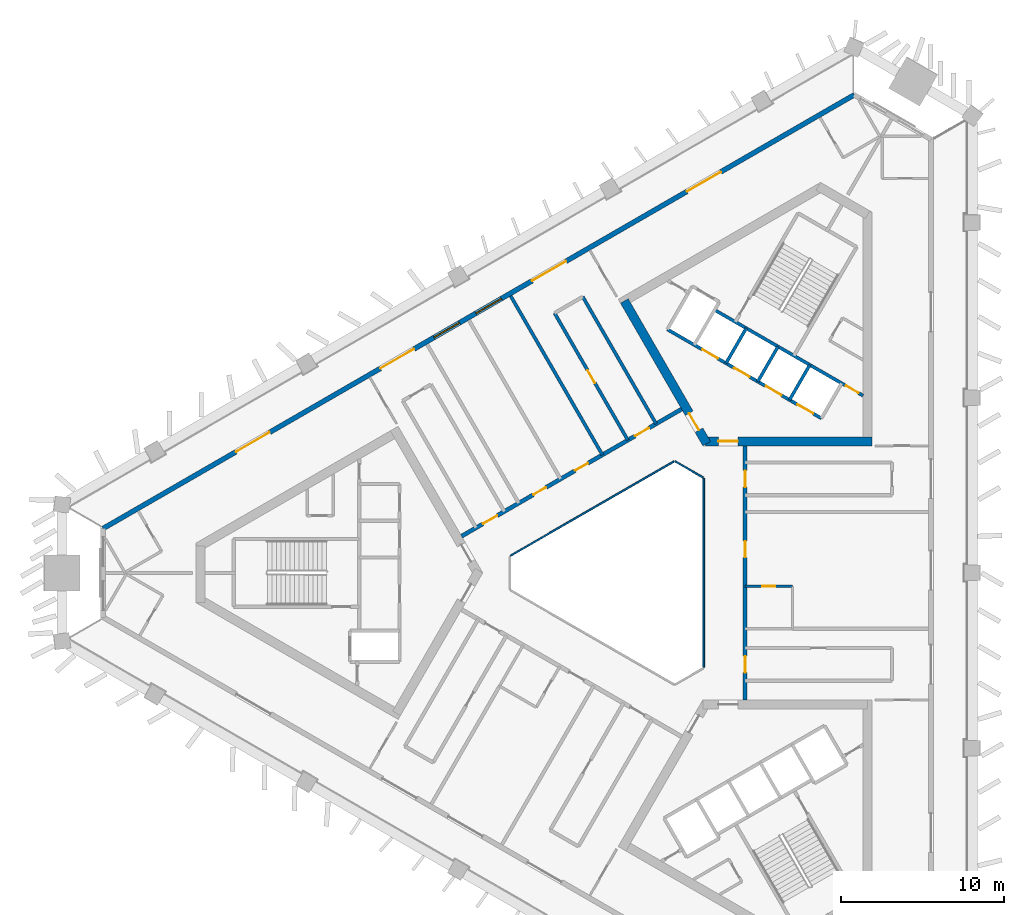
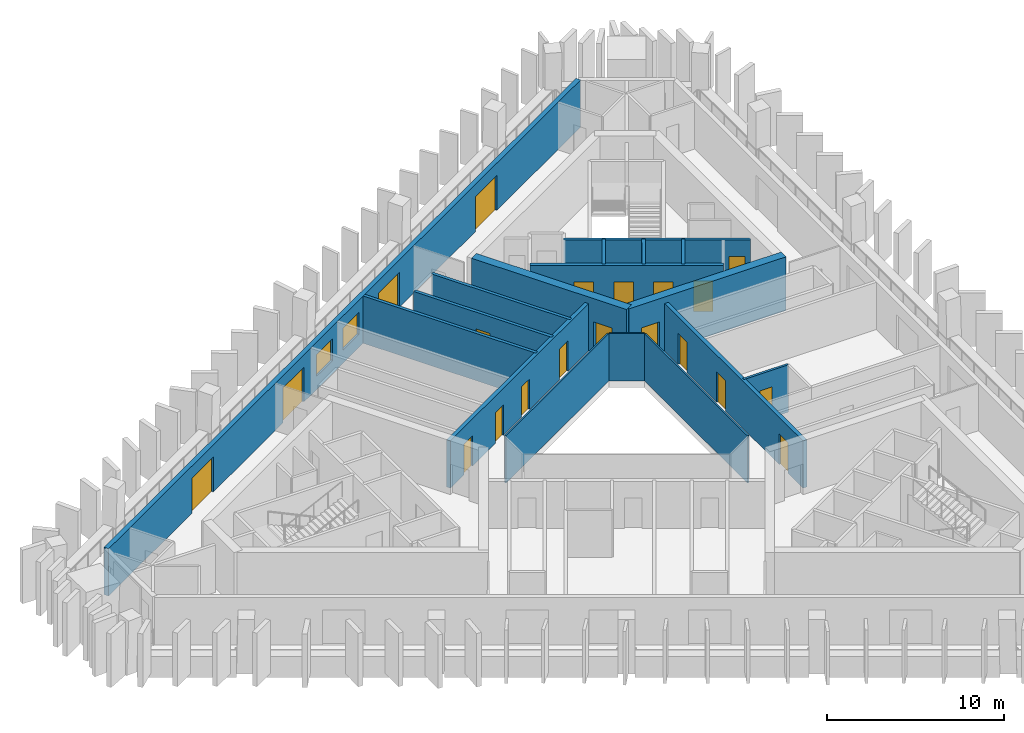
# One storey, part 5 of 10: 20 doors, 17 walls, 2 windows, 22 openings.
"""IFC4 building model written with IfcOpenShell, lengths in metres."""

from ifc_helpers import new_model, si_unit, direction, frame, frame_2d, origin, place, context, subcontext, project, spatial, rectangle, extrude, material, layer, layer_set, type_object, element, fill, save


model = new_model("IFC4")

# Units and contexts
model_context = context("Model", 3, precision=1e-05, world=origin(), true_north=direction((0.0, 1.0)))
body_context = subcontext(model_context, "Body", "Model", "MODEL_VIEW")
ifc_project = project(units=[si_unit("LENGTHUNIT", "METRE"), si_unit("AREAUNIT", "SQUARE_METRE"), si_unit("VOLUMEUNIT", "CUBIC_METRE"), si_unit("PLANEANGLEUNIT", "RADIAN"), si_unit("MASSUNIT", "GRAM", prefix="KILO")], contexts=[model_context])

# Site, building, storey
site_placement = place(None, origin())
site = spatial("IfcSite", under=ifc_project, at=site_placement, CompositionType="ELEMENT")
building_placement = place(site_placement, origin())
building = spatial("IfcBuilding", under=site, at=building_placement, Name="Jabali Bay Hotel Tower and Convention Centre", CompositionType="ELEMENT")
storey_placement = place(building_placement, frame((0.0, 0.0, 178.5)))
storey = spatial("IfcBuildingStorey", under=building, at=storey_placement, Name="L43", CompositionType="ELEMENT", Elevation=178.5)

# Walls
ifc_material_1 = material(Name="Fire-resistant glazing", Category="glass")
ifc_layer_1 = layer(ifc_material_1, 0.10009765625)
ifc_layer_set_1 = layer_set([ifc_layer_1], Name="Fire-resistant glazing")
wall_type_1 = type_object("IfcWallType", Name="Atrium glazed screen 100", PredefinedType="PARTITIONING", material=ifc_layer_set_1)
wall_1_placement = place(storey_placement, frame((79.56005859375, 74.205810546875, 0.0), z_axis=(0.0, 0.0, 1.0), x_axis=(0.0, 1.0, 0.0)))
element("IfcWall", 1, at=wall_1_placement, inside=storey, type_object=wall_type_1, Name="Atrium screen 1 L43", PredefinedType="PARTITIONING", context=body_context, shape_type="SweptSolid", body=[
    extrude(rectangle(XDim=11.58837890625, YDim=0.10009765625, at=frame_2d((5.794189453125, 0.0))), origin(), (0.0, 0.0, 1.0), 3.25),
])
wall_2_placement = place(storey_placement, frame((79.530029296875, 85.84619140625, 0.0), z_axis=(0.0, 0.0, 1.0), x_axis=(-0.866041268327, 0.499972520799, 0.0)))
element("IfcWall", 2, at=wall_2_placement, inside=storey, type_object=wall_type_1, Name="Atrium screen 2 L43", PredefinedType="PARTITIONING", context=body_context, shape_type="SweptSolid", body=[
    extrude(rectangle(XDim=2.0, YDim=0.10009765625, at=frame_2d((1.0, 0.0))), origin(), (0.0, 0.0, 1.0), 3.25),
])
wall_3_placement = place(storey_placement, frame((77.738037109375, 86.84619140625, 0.0), z_axis=(0.0, 0.0, 1.0), x_axis=(-0.866026658274, -0.499997827154, 0.0)))
element("IfcWall", 3, at=wall_3_placement, inside=storey, type_object=wall_type_1, Name="Atrium screen 3 L43", PredefinedType="PARTITIONING", context=body_context, shape_type="SweptSolid", body=[
    extrude(rectangle(XDim=11.58837890625, YDim=0.10009765625, at=frame_2d((5.794189453125, 0.0))), origin(), (0.0, 0.0, 1.0), 3.25),
])
ifc_material_2 = material(Name="Concrete C40", Category="concrete")
ifc_layer_2 = layer(ifc_material_2, 0.199951171875)
ifc_layer_set_2 = layer_set([ifc_layer_2], Name="Concrete C40")
wall_type_2 = type_object("IfcWallType", Name="Core stair wall 200", PredefinedType="SOLIDWALL", material=ifc_layer_set_2)
for number, where, z_axis, x_axis, name in (
    (4, (84.8212890625, 90.61083984375, 0.0), (0.0, 0.0, 1.0), (0.499961042966, 0.86604789447, 0.0), "Core wall 1.2 L43"),
    (5, (82.872802734375, 91.73583984375, 0.0), (0.0, 0.0, 1.0), (0.499961042966, 0.86604789447, 0.0), "Core wall 1.4 L43"),
    (6, (80.924072265625, 92.86083984375, 0.0), (0.0, 0.0, 1.0), (0.499961042966, 0.86604789447, 0.0), "Core wall 1.6 L43"),
):
    element("IfcWall", number, at=place(storey_placement, frame(where, z_axis=z_axis, x_axis=x_axis)), inside=storey, type_object=wall_type_2, Name=name, PredefinedType="SOLIDWALL", context=body_context, shape_type="SweptSolid", body=[
        extrude(rectangle(XDim=2.480224609375, YDim=0.199951171875, at=frame_2d((1.240234375, 0.0))), origin(), (0.0, 0.0, 1.0), 3.25),
    ])

# Wall, openings, doors
wall_4_placement = place(storey_placement, frame((86.769775390625, 89.48583984375, 0.0), z_axis=(0.0, 0.0, 1.0), x_axis=(-0.86601811187, 0.500012629753, 0.0)))
wall_4 = element("IfcWall", 7, at=wall_4_placement, inside=storey, type_object=wall_type_2, Name="Core wall 1.10 L43", PredefinedType="SOLIDWALL", context=body_context, shape_type="SweptSolid", body=[
    extrude(rectangle(XDim=10.900146484375, YDim=0.199951171875, at=frame_2d((5.4501953125, 0.0))), origin(), (0.0, 0.0, 1.0), 3.25),
])
opening_1_placement = place(wall_4_placement, frame((0.574951171875, 0.0, 0.0)))
opening_1 = element("IfcOpeningElement", 8, at=opening_1_placement, cuts=wall_4, Name="Opening LD6-L43", PredefinedType="OPENING", context=body_context, shape_type="SweptSolid", body=[
    extrude(rectangle(XDim=1.10009765625, YDim=2.10009765625, at=frame_2d((0.550048828125, 1.050048828125))), frame((0.0, 0.1103515625, 0.0), z_axis=(0.0, -1.0, 0.0), x_axis=(1.0, 0.0, 0.0)), (0.0, 0.0, 1.0), 0.220947265625),
])
opening_2_placement = place(wall_4_placement, frame((2.824951171875, 0.0, 0.0)))
opening_2 = element("IfcOpeningElement", 9, at=opening_2_placement, cuts=wall_4, Name="Opening LD7-L43", PredefinedType="OPENING", context=body_context, shape_type="SweptSolid", body=[
    extrude(rectangle(XDim=1.10009765625, YDim=2.10009765625, at=frame_2d((0.550048828125, 1.050048828125))), frame((0.0, 0.1103515625, 0.0), z_axis=(0.0, -1.0, 0.0), x_axis=(1.0, 0.0, 0.0)), (0.0, 0.0, 1.0), 0.220947265625),
])
opening_3_placement = place(wall_4_placement, frame((5.074951171875, 0.0, 0.0)))
opening_3 = element("IfcOpeningElement", 10, at=opening_3_placement, cuts=wall_4, Name="Opening LD8-L43", PredefinedType="OPENING", context=body_context, shape_type="SweptSolid", body=[
    extrude(rectangle(XDim=1.10009765625, YDim=2.10009765625, at=frame_2d((0.550048828125, 1.050048828125))), frame((0.0, 0.1103515625, 0.0), z_axis=(0.0, -1.0, 0.0), x_axis=(1.0, 0.0, 0.0)), (0.0, 0.0, 1.0), 0.220947265625),
])
opening_4_placement = place(wall_4_placement, frame((7.324951171875, 0.0, 0.0)))
opening_4 = element("IfcOpeningElement", 11, at=opening_4_placement, cuts=wall_4, Name="Opening LD9-L43", PredefinedType="OPENING", context=body_context, shape_type="SweptSolid", body=[
    extrude(rectangle(XDim=1.10009765625, YDim=2.10009765625, at=frame_2d((0.550048828125, 1.050048828125))), frame((0.0, 0.1103515625, 0.0), z_axis=(0.0, -1.0, 0.0), x_axis=(1.0, 0.0, 0.0)), (0.0, 0.0, 1.0), 0.220947265625),
])
ifc_material_3 = material(Name="Stainless steel landing door", Category="steel")
door_type_1 = type_object("IfcDoorType", Name="Landing door 1100 x 2100", OperationType="NOTDEFINED", PredefinedType="NOTDEFINED", material=ifc_material_3)
door_1_placement = place(opening_1_placement, origin())
door_1 = element("IfcDoor", 12, at=door_1_placement, inside=storey, type_object=door_type_1, Name="Landing doors LD6-L43", OperationType="SLIDING_TO_RIGHT", OverallHeight=2.10009765625, OverallWidth=1.10009765625, PredefinedType="NOTDEFINED", context=body_context, shape_type="SweptSolid", body=[
    extrude(rectangle(XDim=1.10009765625, YDim=2.10009765625, at=frame_2d((0.550048828125, 1.050048828125))), frame((0.0, 0.02490234375, 0.0), z_axis=(0.0, -1.0, 0.0), x_axis=(1.0, 0.0, 0.0)), (0.0, 0.0, 1.0), 0.050048828125),
])
fill(opening_1, door_1)
door_2_placement = place(opening_2_placement, origin())
door_2 = element("IfcDoor", 13, at=door_2_placement, inside=storey, type_object=door_type_1, Name="Landing doors LD7-L43", OperationType="SLIDING_TO_LEFT", OverallHeight=2.10009765625, OverallWidth=1.10009765625, PredefinedType="NOTDEFINED", context=body_context, shape_type="SweptSolid", body=[
    extrude(rectangle(XDim=1.10009765625, YDim=2.10009765625, at=frame_2d((0.550048828125, 1.050048828125))), frame((0.0, 0.02490234375, 0.0), z_axis=(0.0, -1.0, 0.0), x_axis=(1.0, 0.0, 0.0)), (0.0, 0.0, 1.0), 0.050048828125),
])
fill(opening_2, door_2)
door_3_placement = place(opening_3_placement, origin())
door_3 = element("IfcDoor", 14, at=door_3_placement, inside=storey, type_object=door_type_1, Name="Landing doors LD8-L43", OperationType="SLIDING_TO_RIGHT", OverallHeight=2.10009765625, OverallWidth=1.10009765625, PredefinedType="NOTDEFINED", context=body_context, shape_type="SweptSolid", body=[
    extrude(rectangle(XDim=1.10009765625, YDim=2.10009765625, at=frame_2d((0.550048828125, 1.050048828125))), frame((0.0, 0.02490234375, 0.0), z_axis=(0.0, -1.0, 0.0), x_axis=(1.0, 0.0, 0.0)), (0.0, 0.0, 1.0), 0.050048828125),
])
fill(opening_3, door_3)
door_4_placement = place(opening_4_placement, origin())
door_4 = element("IfcDoor", 15, at=door_4_placement, inside=storey, type_object=door_type_1, Name="Landing doors LD9-L43", OperationType="SLIDING_TO_LEFT", OverallHeight=2.10009765625, OverallWidth=1.10009765625, PredefinedType="NOTDEFINED", context=body_context, shape_type="SweptSolid", body=[
    extrude(rectangle(XDim=1.10009765625, YDim=2.10009765625, at=frame_2d((0.550048828125, 1.050048828125))), frame((0.0, 0.02490234375, 0.0), z_axis=(0.0, -1.0, 0.0), x_axis=(1.0, 0.0, 0.0)), (0.0, 0.0, 1.0), 0.050048828125),
])
fill(opening_4, door_4)

# Wall, opening, door
wall_5_placement = place(storey_placement, frame((89.330078125, 90.87158203125, 0.0), z_axis=(0.0, 0.0, 1.0), x_axis=(-0.866027589512, 0.49999621419, 0.0)))
wall_5 = element("IfcWall", 16, at=wall_5_placement, inside=storey, type_object=wall_type_2, Name="Core wall 1.11 L43", PredefinedType="SOLIDWALL", context=body_context, shape_type="SweptSolid", body=[
    extrude(rectangle(XDim=10.5244140625, YDim=0.199951171875, at=frame_2d((5.26220703125, 0.0))), origin(), (0.0, 0.0, 1.0), 3.25),
])
opening_5_placement = place(wall_5_placement, frame((0.312255859375, 0.0, 0.0)))
opening_5 = element("IfcOpeningElement", 17, at=opening_5_placement, cuts=wall_5, Name="Opening D938", PredefinedType="OPENING", context=body_context, shape_type="SweptSolid", body=[
    extrude(rectangle(XDim=0.89990234375, YDim=2.10009765625, at=frame_2d((0.449951171875, 1.050048828125))), frame((0.0, 0.1103515625, 0.0), z_axis=(0.0, -1.0, 0.0), x_axis=(1.0, 0.0, 0.0)), (0.0, 0.0, 1.0), 0.220947265625),
])
ifc_material_4 = material(Name="Fire-rated steel door", Category="steel")
door_type_2 = type_object("IfcDoorType", Name="Vestibule fire door 900 x 2100", OperationType="NOTDEFINED", PredefinedType="NOTDEFINED", material=ifc_material_4)
door_5_placement = place(opening_5_placement, origin())
door_5 = element("IfcDoor", 18, at=door_5_placement, inside=storey, type_object=door_type_2, Name="Vestibule fire door D938", OperationType="SINGLE_SWING_LEFT", OverallHeight=2.10009765625, OverallWidth=0.89990234375, PredefinedType="NOTDEFINED", context=body_context, shape_type="SweptSolid", body=[
    extrude(rectangle(XDim=0.89990234375, YDim=2.10009765625, at=frame_2d((0.449951171875, 1.050048828125))), frame((0.0, 0.02490234375, 0.0), z_axis=(0.0, -1.0, 0.0), x_axis=(1.0, 0.0, 0.0)), (0.0, 0.0, 1.0), 0.050048828125),
])
fill(opening_5, door_5)

ifc_material_5 = material(Name="Concrete C60", Category="concrete")
ifc_layer_3 = layer(ifc_material_5, 0.550048828125)
ifc_layer_set_3 = layer_set([ifc_layer_3], Name="Concrete C60")
wall_type_3 = type_object("IfcWallType", Name="Core wall 550", PredefinedType="SHEAR", material=ifc_layer_set_3)
wall_6_placement = place(storey_placement, frame((79.65869140625, 88.0693359375, 0.0), z_axis=(0.0, 0.0, 1.0), x_axis=(1.0, 0.0, 0.0)))
wall_6 = element("IfcWall", 19, at=wall_6_placement, inside=storey, type_object=wall_type_3, Name="Core wall 2.1 L43", PredefinedType="SHEAR", context=body_context, shape_type="SweptSolid", body=[
    extrude(rectangle(XDim=10.22119140625, YDim=0.550048828125, at=frame_2d((5.110595703125, 0.0))), origin(), (0.0, 0.0, 1.0), 3.699951171875),
])
opening_6_placement = place(wall_6_placement, frame((0.791259765625, 0.0, 0.0)))
opening_6 = element("IfcOpeningElement", 20, at=opening_6_placement, cuts=wall_6, Name="Opening D935", PredefinedType="OPENING", context=body_context, shape_type="SweptSolid", body=[
    extrude(rectangle(XDim=1.199951171875, YDim=2.10009765625, at=frame_2d((0.60009765625, 1.050048828125))), frame((0.0, 0.28564453125, 0.0), z_axis=(0.0, -1.0, 0.0), x_axis=(1.0, 0.0, 0.0)), (0.0, 0.0, 1.0), 0.571044921875),
])
door_type_3 = type_object("IfcDoorType", Name="Corridor end fire door 1200 x 2100", OperationType="NOTDEFINED", PredefinedType="NOTDEFINED", material=ifc_material_4)
door_6_placement = place(opening_6_placement, origin())
door_6 = element("IfcDoor", 21, at=door_6_placement, inside=storey, type_object=door_type_3, Name="Corridor end fire door D935", OperationType="SINGLE_SWING_RIGHT", OverallHeight=2.10009765625, OverallWidth=1.199951171875, PredefinedType="NOTDEFINED", context=body_context, shape_type="SweptSolid", body=[
    extrude(rectangle(XDim=1.199951171875, YDim=2.10009765625, at=frame_2d((0.60009765625, 1.050048828125))), frame((0.0, 0.02490234375, 0.0), z_axis=(0.0, -1.0, 0.0), x_axis=(1.0, 0.0, 0.0)), (0.0, 0.0, 1.0), 0.050048828125),
])
fill(opening_6, door_6)

wall_7_placement = place(storey_placement, frame((74.685546875, 96.682861328125, 0.0), z_axis=(0.0, 0.0, 1.0), x_axis=(0.499997818338, -0.866026663364, 0.0)))
wall_7 = element("IfcWall", 22, at=wall_7_placement, inside=storey, type_object=wall_type_3, Name="Core wall 2.5 L43", PredefinedType="SHEAR", context=body_context, shape_type="SweptSolid", body=[
    extrude(rectangle(XDim=10.10498046875, YDim=0.550048828125, at=frame_2d((5.052490234375, 0.0))), origin(), (0.0, 0.0, 1.0), 3.699951171875),
])
opening_7_placement = place(wall_7_placement, frame((7.955078125, 0.0, 0.0)))
opening_7 = element("IfcOpeningElement", 23, at=opening_7_placement, cuts=wall_7, Name="Opening D936", PredefinedType="OPENING", context=body_context, shape_type="SweptSolid", body=[
    extrude(rectangle(XDim=1.199951171875, YDim=2.10009765625, at=frame_2d((0.60009765625, 1.050048828125))), frame((0.0, 0.28564453125, 0.0), z_axis=(0.0, -1.0, 0.0), x_axis=(1.0, 0.0, 0.0)), (0.0, 0.0, 1.0), 0.571044921875),
])
door_7_placement = place(opening_7_placement, origin())
door_7 = element("IfcDoor", 24, at=door_7_placement, inside=storey, type_object=door_type_3, Name="Corridor end fire door D936", OperationType="SINGLE_SWING_LEFT", OverallHeight=2.10009765625, OverallWidth=1.199951171875, PredefinedType="NOTDEFINED", context=body_context, shape_type="SweptSolid", body=[
    extrude(rectangle(XDim=1.199951171875, YDim=2.10009765625, at=frame_2d((0.60009765625, 1.050048828125))), frame((0.0, 0.02490234375, 0.0), z_axis=(0.0, -1.0, 0.0), x_axis=(1.0, 0.0, 0.0)), (0.0, 0.0, 1.0), 0.050048828125),
])
fill(opening_7, door_7)

# Wall, openings, doors
ifc_layer_4 = layer(ifc_material_5, 0.25)
ifc_layer_set_4 = layer_set([ifc_layer_4], Name="Concrete C60")
wall_type_4 = type_object("IfcWallType", Name="Corridor wall 250", PredefinedType="SHEAR", material=ifc_layer_set_4)
wall_8_placement = place(storey_placement, frame((82.10009765625, 72.205810546875, 0.0), z_axis=(0.0, 0.0, 1.0), x_axis=(0.0, 1.0, 0.0)))
wall_8 = element("IfcWall", 25, at=wall_8_placement, inside=storey, type_object=wall_type_4, Name="Corridor wall 1 L43", PredefinedType="SHEAR", context=body_context, shape_type="SweptSolid", body=[
    extrude(rectangle(XDim=15.58837890625, YDim=0.25, at=frame_2d((7.794189453125, 0.0))), origin(), (0.0, 0.0, 1.0), 3.25),
])
opening_8_placement = place(wall_8_placement, frame((1.682373046875, 0.0, 0.0)))
opening_8 = element("IfcOpeningElement", 26, at=opening_8_placement, cuts=wall_8, Name="Opening 4301", PredefinedType="OPENING", context=body_context, shape_type="SweptSolid", body=[
    extrude(rectangle(XDim=1.0, YDim=2.10009765625, at=frame_2d((0.5, 1.050048828125))), frame((0.0, 0.135498046875, 0.0), z_axis=(0.0, -1.0, 0.0), x_axis=(1.0, 0.0, 0.0)), (0.0, 0.0, 1.0), 0.27099609375),
])
opening_9_placement = place(wall_8_placement, frame((8.75, 0.0, 0.0)))
opening_9 = element("IfcOpeningElement", 27, at=opening_9_placement, cuts=wall_8, Name="Opening 4306", PredefinedType="OPENING", context=body_context, shape_type="SweptSolid", body=[
    extrude(rectangle(XDim=1.0, YDim=2.10009765625, at=frame_2d((0.5, 1.050048828125))), frame((0.0, 0.135498046875, 0.0), z_axis=(0.0, -1.0, 0.0), x_axis=(1.0, 0.0, 0.0)), (0.0, 0.0, 1.0), 0.27099609375),
])
opening_10_placement = place(wall_8_placement, frame((13.06201171875, 0.0, 0.0)))
opening_10 = element("IfcOpeningElement", 28, at=opening_10_placement, cuts=wall_8, Name="Opening 4307", PredefinedType="OPENING", context=body_context, shape_type="SweptSolid", body=[
    extrude(rectangle(XDim=1.0, YDim=2.10009765625, at=frame_2d((0.5, 1.050048828125))), frame((0.0, 0.135498046875, 0.0), z_axis=(0.0, -1.0, 0.0), x_axis=(1.0, 0.0, 0.0)), (0.0, 0.0, 1.0), 0.27099609375),
])
ifc_material_6 = material(Name="Timber", Category="wood")
door_type_4 = type_object("IfcDoorType", Name="Guest room door 1000 x 2100", OperationType="NOTDEFINED", PredefinedType="NOTDEFINED", material=ifc_material_6)
door_8_placement = place(opening_8_placement, origin())
door_8 = element("IfcDoor", 29, at=door_8_placement, inside=storey, type_object=door_type_4, Name="Door 4301", OperationType="SINGLE_SWING_LEFT", OverallHeight=2.10009765625, OverallWidth=1.0, PredefinedType="NOTDEFINED", context=body_context, shape_type="SweptSolid", body=[
    extrude(rectangle(XDim=1.0, YDim=2.10009765625, at=frame_2d((0.5, 1.050048828125))), frame((0.0, 0.02490234375, 0.0), z_axis=(0.0, -1.0, 0.0), x_axis=(1.0, 0.0, 0.0)), (0.0, 0.0, 1.0), 0.050048828125),
])
fill(opening_8, door_8)
door_9_placement = place(opening_9_placement, origin())
door_9 = element("IfcDoor", 30, at=door_9_placement, inside=storey, type_object=door_type_4, Name="Door 4306", OperationType="SINGLE_SWING_RIGHT", OverallHeight=2.10009765625, OverallWidth=1.0, PredefinedType="NOTDEFINED", context=body_context, shape_type="SweptSolid", body=[
    extrude(rectangle(XDim=1.0, YDim=2.10009765625, at=frame_2d((0.5, 1.050048828125))), frame((0.0, 0.02490234375, 0.0), z_axis=(0.0, -1.0, 0.0), x_axis=(1.0, 0.0, 0.0)), (0.0, 0.0, 1.0), 0.050048828125),
])
fill(opening_9, door_9)
door_10_placement = place(opening_10_placement, origin())
door_10 = element("IfcDoor", 31, at=door_10_placement, inside=storey, type_object=door_type_4, Name="Door 4307", OperationType="SINGLE_SWING_RIGHT", OverallHeight=2.10009765625, OverallWidth=1.0, PredefinedType="NOTDEFINED", context=body_context, shape_type="SweptSolid", body=[
    extrude(rectangle(XDim=1.0, YDim=2.10009765625, at=frame_2d((0.5, 1.050048828125))), frame((0.0, 0.02490234375, 0.0), z_axis=(0.0, -1.0, 0.0), x_axis=(1.0, 0.0, 0.0)), (0.0, 0.0, 1.0), 0.050048828125),
])
fill(opening_10, door_10)

wall_9_placement = place(storey_placement, frame((78.199951171875, 90.0458984375, 0.0), z_axis=(0.0, 0.0, 1.0), x_axis=(-0.866026492143, -0.499998114903, 0.0)))
wall_9 = element("IfcWall", 32, at=wall_9_placement, inside=storey, type_object=wall_type_4, Name="Corridor wall 2 L43", PredefinedType="SHEAR", context=body_context, shape_type="SweptSolid", body=[
    extrude(rectangle(XDim=15.58837890625, YDim=0.25, at=frame_2d((7.794189453125, 0.0))), origin(), (0.0, 0.0, 1.0), 3.25),
])
opening_11_placement = place(wall_9_placement, frame((2.305908203125, 0.0, 0.0)))
opening_11 = element("IfcOpeningElement", 33, at=opening_11_placement, cuts=wall_9, Name="Opening 4311", PredefinedType="OPENING", context=body_context, shape_type="SweptSolid", body=[
    extrude(rectangle(XDim=1.0, YDim=2.10009765625, at=frame_2d((0.5, 1.050048828125))), frame((0.0, 0.135498046875, 0.0), z_axis=(0.0, -1.0, 0.0), x_axis=(1.0, 0.0, 0.0)), (0.0, 0.0, 1.0), 0.27099609375),
])
opening_12_placement = place(wall_9_placement, frame((6.642578125, 0.0, 0.0)))
opening_12 = element("IfcOpeningElement", 34, at=opening_12_placement, cuts=wall_9, Name="Opening 4315", PredefinedType="OPENING", context=body_context, shape_type="SweptSolid", body=[
    extrude(rectangle(XDim=0.89990234375, YDim=2.10009765625, at=frame_2d((0.449951171875, 1.050048828125))), frame((0.0, 0.135498046875, 0.0), z_axis=(0.0, -1.0, 0.0), x_axis=(1.0, 0.0, 0.0)), (0.0, 0.0, 1.0), 0.27099609375),
])
opening_13_placement = place(wall_9_placement, frame((9.6044921875, 0.0, 0.0)))
opening_13 = element("IfcOpeningElement", 35, at=opening_13_placement, cuts=wall_9, Name="Opening 4316", PredefinedType="OPENING", context=body_context, shape_type="SweptSolid", body=[
    extrude(rectangle(XDim=0.89990234375, YDim=2.10009765625, at=frame_2d((0.449951171875, 1.050048828125))), frame((0.0, 0.135498046875, 0.0), z_axis=(0.0, -1.0, 0.0), x_axis=(1.0, 0.0, 0.0)), (0.0, 0.0, 1.0), 0.27099609375),
])
opening_14_placement = place(wall_9_placement, frame((13.06201171875, 0.0, 0.0)))
opening_14 = element("IfcOpeningElement", 36, at=opening_14_placement, cuts=wall_9, Name="Opening 4317", PredefinedType="OPENING", context=body_context, shape_type="SweptSolid", body=[
    extrude(rectangle(XDim=1.0, YDim=2.10009765625, at=frame_2d((0.5, 1.050048828125))), frame((0.0, 0.135498046875, 0.0), z_axis=(0.0, -1.0, 0.0), x_axis=(1.0, 0.0, 0.0)), (0.0, 0.0, 1.0), 0.27099609375),
])
door_11_placement = place(opening_11_placement, origin())
door_11 = element("IfcDoor", 37, at=door_11_placement, inside=storey, type_object=door_type_4, Name="Door 4311", OperationType="SINGLE_SWING_LEFT", OverallHeight=2.10009765625, OverallWidth=1.0, PredefinedType="NOTDEFINED", context=body_context, shape_type="SweptSolid", body=[
    extrude(rectangle(XDim=1.0, YDim=2.10009765625, at=frame_2d((0.5, 1.050048828125))), frame((0.0, 0.02490234375, 0.0), z_axis=(0.0, -1.0, 0.0), x_axis=(1.0, 0.0, 0.0)), (0.0, 0.0, 1.0), 0.050048828125),
])
fill(opening_11, door_11)
door_12_placement = place(opening_14_placement, origin())
door_12 = element("IfcDoor", 38, at=door_12_placement, inside=storey, type_object=door_type_4, Name="Door 4317", OperationType="SINGLE_SWING_RIGHT", OverallHeight=2.10009765625, OverallWidth=1.0, PredefinedType="NOTDEFINED", context=body_context, shape_type="SweptSolid", body=[
    extrude(rectangle(XDim=1.0, YDim=2.10009765625, at=frame_2d((0.5, 1.050048828125))), frame((0.0, 0.02490234375, 0.0), z_axis=(0.0, -1.0, 0.0), x_axis=(1.0, 0.0, 0.0)), (0.0, 0.0, 1.0), 0.050048828125),
])
fill(opening_14, door_12)
door_type_5 = type_object("IfcDoorType", Name="Internal door 900 x 2100", OperationType="NOTDEFINED", PredefinedType="NOTDEFINED", material=ifc_material_6)
door_13_placement = place(opening_12_placement, origin())
door_13 = element("IfcDoor", 39, at=door_13_placement, inside=storey, type_object=door_type_5, Name="Door 4315", OperationType="SINGLE_SWING_LEFT", OverallHeight=2.10009765625, OverallWidth=0.89990234375, PredefinedType="NOTDEFINED", context=body_context, shape_type="SweptSolid", body=[
    extrude(rectangle(XDim=0.89990234375, YDim=2.10009765625, at=frame_2d((0.449951171875, 1.050048828125))), frame((0.0, 0.02490234375, 0.0), z_axis=(0.0, -1.0, 0.0), x_axis=(1.0, 0.0, 0.0)), (0.0, 0.0, 1.0), 0.050048828125),
])
fill(opening_12, door_13)
door_14_placement = place(opening_13_placement, origin())
door_14 = element("IfcDoor", 40, at=door_14_placement, inside=storey, type_object=door_type_5, Name="Door 4316", OperationType="SINGLE_SWING_RIGHT", OverallHeight=2.10009765625, OverallWidth=0.89990234375, PredefinedType="NOTDEFINED", context=body_context, shape_type="SweptSolid", body=[
    extrude(rectangle(XDim=0.89990234375, YDim=2.10009765625, at=frame_2d((0.449951171875, 1.050048828125))), frame((0.0, 0.02490234375, 0.0), z_axis=(0.0, -1.0, 0.0), x_axis=(1.0, 0.0, 0.0)), (0.0, 0.0, 1.0), 0.050048828125),
])
fill(opening_13, door_14)

# Wall, openings, doors, windows
ifc_layer_5 = layer(ifc_material_2, 0.300048828125)
ifc_layer_set_5 = layer_set([ifc_layer_5], Name="Concrete C40")
wall_type_5 = type_object("IfcWallType", Name="External wall 300", PredefinedType="SOLIDWALL", material=ifc_layer_set_5)
wall_10_placement = place(storey_placement, frame((42.710205078125, 82.7216796875, 0.0), z_axis=(0.0, 0.0, 1.0), x_axis=(0.866026647012, 0.499997846661, 0.0)))
wall_10 = element("IfcWall", 41, at=wall_10_placement, inside=storey, type_object=wall_type_5, Name="External wall north-west face L43", PredefinedType="SOLIDWALL", context=body_context, shape_type="SweptSolid", body=[
    extrude(rectangle(XDim=53.205810546875, YDim=0.300048828125, at=frame_2d((26.60302734375, 0.0))), origin(), (0.0, 0.0, 1.0), 3.25),
])
opening_15_placement = place(wall_10_placement, frame((30.39111328125, 0.0, 0.0)))
opening_15 = element("IfcOpeningElement", 42, at=opening_15_placement, cuts=wall_10, Name="Opening SD1", PredefinedType="OPENING", context=body_context, shape_type="SweptSolid", body=[
    extrude(rectangle(XDim=2.39990234375, YDim=2.39990234375, at=frame_2d((1.199951171875, 1.199951171875))), frame((0.0, 0.16064453125, 0.0), z_axis=(0.0, -1.0, 0.0), x_axis=(1.0, 0.0, 0.0)), (0.0, 0.0, 1.0), 0.321044921875),
])
opening_16_placement = place(wall_10_placement, frame((41.355712890625, 0.0, 0.0)))
opening_16 = element("IfcOpeningElement", 43, at=opening_16_placement, cuts=wall_10, Name="Opening SD1", PredefinedType="OPENING", context=body_context, shape_type="SweptSolid", body=[
    extrude(rectangle(XDim=2.39990234375, YDim=2.39990234375, at=frame_2d((1.199951171875, 1.199951171875))), frame((0.0, 0.16064453125, 0.0), z_axis=(0.0, -1.0, 0.0), x_axis=(1.0, 0.0, 0.0)), (0.0, 0.0, 1.0), 0.321044921875),
])
opening_17_placement = place(wall_10_placement, frame((19.635009765625, 0.0, 0.0)))
opening_17 = element("IfcOpeningElement", 44, at=opening_17_placement, cuts=wall_10, Name="Opening SD1", PredefinedType="OPENING", context=body_context, shape_type="SweptSolid", body=[
    extrude(rectangle(XDim=2.39990234375, YDim=2.39990234375, at=frame_2d((1.199951171875, 1.199951171875))), frame((0.0, 0.16064453125, 0.0), z_axis=(0.0, -1.0, 0.0), x_axis=(1.0, 0.0, 0.0)), (0.0, 0.0, 1.0), 0.321044921875),
])
opening_18_placement = place(wall_10_placement, frame((9.399658203125, 0.0, 0.0)))
opening_18 = element("IfcOpeningElement", 45, at=opening_18_placement, cuts=wall_10, Name="Opening SD1", PredefinedType="OPENING", context=body_context, shape_type="SweptSolid", body=[
    extrude(rectangle(XDim=2.39990234375, YDim=2.39990234375, at=frame_2d((1.199951171875, 1.199951171875))), frame((0.0, 0.16064453125, 0.0), z_axis=(0.0, -1.0, 0.0), x_axis=(1.0, 0.0, 0.0)), (0.0, 0.0, 1.0), 0.321044921875),
])
opening_19_placement = place(wall_10_placement, frame((26.404296875, 0.0, 0.89990234375)))
opening_19 = element("IfcOpeningElement", 46, at=opening_19_placement, cuts=wall_10, Name="Opening W1", PredefinedType="OPENING", context=body_context, shape_type="SweptSolid", body=[
    extrude(rectangle(XDim=1.800048828125, YDim=1.5, at=frame_2d((0.89990234375, 0.75))), frame((0.0, 0.16064453125, 0.0), z_axis=(0.0, -1.0, 0.0), x_axis=(1.0, 0.0, 0.0)), (0.0, 0.0, 1.0), 0.321044921875),
])
opening_20_placement = place(wall_10_placement, frame((23.4423828125, 0.0, 0.89990234375)))
opening_20 = element("IfcOpeningElement", 47, at=opening_20_placement, cuts=wall_10, Name="Opening W1", PredefinedType="OPENING", context=body_context, shape_type="SweptSolid", body=[
    extrude(rectangle(XDim=1.800048828125, YDim=1.5, at=frame_2d((0.89990234375, 0.75))), frame((0.0, 0.16064453125, 0.0), z_axis=(0.0, -1.0, 0.0), x_axis=(1.0, 0.0, 0.0)), (0.0, 0.0, 1.0), 0.321044921875),
])
ifc_material_7 = material(Name="Glass", Category="glass")
door_type_6 = type_object("IfcDoorType", Name="Loggia sliding door 2400 x 2400", OperationType="NOTDEFINED", PredefinedType="NOTDEFINED", material=ifc_material_7)
door_15_placement = place(opening_15_placement, origin())
door_15 = element("IfcDoor", 48, at=door_15_placement, inside=storey, type_object=door_type_6, Name="Loggia sliding door 4306", OperationType="SLIDING_TO_LEFT", OverallHeight=2.39990234375, OverallWidth=2.39990234375, PredefinedType="NOTDEFINED", context=body_context, shape_type="SweptSolid", body=[
    extrude(rectangle(XDim=2.39990234375, YDim=2.39990234375, at=frame_2d((1.199951171875, 1.199951171875))), frame((0.0, 0.02490234375, 0.0), z_axis=(0.0, -1.0, 0.0), x_axis=(1.0, 0.0, 0.0)), (0.0, 0.0, 1.0), 0.050048828125),
])
fill(opening_15, door_15)
door_16_placement = place(opening_16_placement, origin())
door_16 = element("IfcDoor", 49, at=door_16_placement, inside=storey, type_object=door_type_6, Name="Loggia sliding door 4306", OperationType="SLIDING_TO_RIGHT", OverallHeight=2.39990234375, OverallWidth=2.39990234375, PredefinedType="NOTDEFINED", context=body_context, shape_type="SweptSolid", body=[
    extrude(rectangle(XDim=2.39990234375, YDim=2.39990234375, at=frame_2d((1.199951171875, 1.199951171875))), frame((0.0, 0.02490234375, 0.0), z_axis=(0.0, -1.0, 0.0), x_axis=(1.0, 0.0, 0.0)), (0.0, 0.0, 1.0), 0.050048828125),
])
fill(opening_16, door_16)
door_17_placement = place(opening_17_placement, origin())
door_17 = element("IfcDoor", 50, at=door_17_placement, inside=storey, type_object=door_type_6, Name="Loggia sliding door 4310", OperationType="SLIDING_TO_LEFT", OverallHeight=2.39990234375, OverallWidth=2.39990234375, PredefinedType="NOTDEFINED", context=body_context, shape_type="SweptSolid", body=[
    extrude(rectangle(XDim=2.39990234375, YDim=2.39990234375, at=frame_2d((1.199951171875, 1.199951171875))), frame((0.0, 0.02490234375, 0.0), z_axis=(0.0, -1.0, 0.0), x_axis=(1.0, 0.0, 0.0)), (0.0, 0.0, 1.0), 0.050048828125),
])
fill(opening_17, door_17)
door_18_placement = place(opening_18_placement, origin())
door_18 = element("IfcDoor", 51, at=door_18_placement, inside=storey, type_object=door_type_6, Name="Loggia sliding door 4310", OperationType="SLIDING_TO_RIGHT", OverallHeight=2.39990234375, OverallWidth=2.39990234375, PredefinedType="NOTDEFINED", context=body_context, shape_type="SweptSolid", body=[
    extrude(rectangle(XDim=2.39990234375, YDim=2.39990234375, at=frame_2d((1.199951171875, 1.199951171875))), frame((0.0, 0.02490234375, 0.0), z_axis=(0.0, -1.0, 0.0), x_axis=(1.0, 0.0, 0.0)), (0.0, 0.0, 1.0), 0.050048828125),
])
fill(opening_18, door_18)
window_type = type_object("IfcWindowType", Name="Window 1800 x 1500", PartitioningType="SINGLE_PANEL", PredefinedType="WINDOW", material=ifc_material_7)
window_1_placement = place(opening_19_placement, origin())
window_1 = element("IfcWindow", 52, at=window_1_placement, inside=storey, type_object=window_type, Name="Window 4308", OverallHeight=1.5, OverallWidth=1.800048828125, PartitioningType="SINGLE_PANEL", PredefinedType="WINDOW", context=body_context, shape_type="SweptSolid", body=[
    extrude(rectangle(XDim=1.800048828125, YDim=1.5, at=frame_2d((0.89990234375, 0.75))), frame((0.0, 0.030029296875, 0.0), z_axis=(0.0, -1.0, 0.0), x_axis=(1.0, 0.0, 0.0)), (0.0, 0.0, 1.0), 0.06005859375),
])
fill(opening_19, window_1)
window_2_placement = place(opening_20_placement, origin())
window_2 = element("IfcWindow", 53, at=window_2_placement, inside=storey, type_object=window_type, Name="Window 4309", OverallHeight=1.5, OverallWidth=1.800048828125, PartitioningType="SINGLE_PANEL", PredefinedType="WINDOW", context=body_context, shape_type="SweptSolid", body=[
    extrude(rectangle(XDim=1.800048828125, YDim=1.5, at=frame_2d((0.89990234375, 0.75))), frame((0.0, 0.030029296875, 0.0), z_axis=(0.0, -1.0, 0.0), x_axis=(1.0, 0.0, 0.0)), (0.0, 0.0, 1.0), 0.06005859375),
])
fill(opening_20, window_2)

# Wall, opening, door
ifc_material_8 = material(Name="Plasterboard on steel stud", Category="steel")
ifc_layer_6 = layer(ifc_material_8, 0.14990234375)
ifc_layer_set_6 = layer_set([ifc_layer_6], Name="Plasterboard on steel stud")
wall_type_6 = type_object("IfcWallType", Name="Partition 150 wet", PredefinedType="PARTITIONING", material=ifc_layer_set_6)
wall_11_placement = place(storey_placement, frame((82.10009765625, 79.170654296875, 0.0), z_axis=(0.0, 0.0, 1.0), x_axis=(1.0, 0.0, 0.0)))
wall_11 = element("IfcWall", 54, at=wall_11_placement, inside=storey, type_object=wall_type_6, Name="Partition P03 L43 011", PredefinedType="PARTITIONING", context=body_context, shape_type="SweptSolid", body=[
    extrude(rectangle(XDim=2.89990234375, YDim=0.14990234375, at=frame_2d((1.449951171875, 0.0))), origin(), (0.0, 0.0, 1.0), 3.25),
])
opening_21_placement = place(wall_11_placement, frame((1.050048828125, 0.0, 0.0)))
opening_21 = element("IfcOpeningElement", 55, at=opening_21_placement, cuts=wall_11, Name="Opening 4305", PredefinedType="OPENING", context=body_context, shape_type="SweptSolid", body=[
    extrude(rectangle(XDim=0.800048828125, YDim=2.10009765625, at=frame_2d((0.39990234375, 1.050048828125))), frame((0.0, 0.08544921875, 0.0), z_axis=(0.0, -1.0, 0.0), x_axis=(1.0, 0.0, 0.0)), (0.0, 0.0, 1.0), 0.1708984375),
])
door_type_7 = type_object("IfcDoorType", Name="En-suite door 800 x 2100", OperationType="NOTDEFINED", PredefinedType="NOTDEFINED", material=ifc_material_6)
door_19_placement = place(opening_21_placement, origin())
door_19 = element("IfcDoor", 56, at=door_19_placement, inside=storey, type_object=door_type_7, Name="Door 4305", OperationType="SINGLE_SWING_RIGHT", OverallHeight=2.10009765625, OverallWidth=0.800048828125, PredefinedType="NOTDEFINED", context=body_context, shape_type="SweptSolid", body=[
    extrude(rectangle(XDim=0.800048828125, YDim=2.10009765625, at=frame_2d((0.39990234375, 1.050048828125))), frame((0.0, 0.02490234375, 0.0), z_axis=(0.0, -1.0, 0.0), x_axis=(1.0, 0.0, 0.0)), (0.0, 0.0, 1.0), 0.050048828125),
])
fill(opening_21, door_19)

ifc_layer_7 = layer(ifc_material_8, 0.199951171875)
ifc_layer_set_7 = layer_set([ifc_layer_7], Name="Plasterboard on steel stud")
wall_type_7 = type_object("IfcWallType", Name="Partition 200 party", PredefinedType="PARTITIONING", material=ifc_layer_set_7)
wall_12_placement = place(storey_placement, frame((74.904052734375, 88.142822265625, 0.0), z_axis=(0.0, 0.0, 1.0), x_axis=(-0.499990139034, 0.866031096941, 0.0)))
wall_12 = element("IfcWall", 57, at=wall_12_placement, inside=storey, type_object=wall_type_7, Name="Partition P01 L43 023", PredefinedType="PARTITIONING", context=body_context, shape_type="SweptSolid", body=[
    extrude(rectangle(XDim=9.000244140625, YDim=0.199951171875, at=frame_2d((4.5, 0.0))), origin(), (0.0, 0.0, 1.0), 3.25),
])
opening_22_placement = place(wall_12_placement, frame((4.050048828125, 0.0, 0.0)))
opening_22 = element("IfcOpeningElement", 58, at=opening_22_placement, cuts=wall_12, Name="Opening 4314", PredefinedType="OPENING", context=body_context, shape_type="SweptSolid", body=[
    extrude(rectangle(XDim=0.89990234375, YDim=2.10009765625, at=frame_2d((0.449951171875, 1.050048828125))), frame((0.0, 0.1103515625, 0.0), z_axis=(0.0, -1.0, 0.0), x_axis=(1.0, 0.0, 0.0)), (0.0, 0.0, 1.0), 0.220947265625),
])
door_20_placement = place(opening_22_placement, origin())
door_20 = element("IfcDoor", 59, at=door_20_placement, inside=storey, type_object=door_type_5, Name="Door 4314", OperationType="SINGLE_SWING_RIGHT", OverallHeight=2.10009765625, OverallWidth=0.89990234375, PredefinedType="NOTDEFINED", context=body_context, shape_type="SweptSolid", body=[
    extrude(rectangle(XDim=0.89990234375, YDim=2.10009765625, at=frame_2d((0.449951171875, 1.050048828125))), frame((0.0, 0.02490234375, 0.0), z_axis=(0.0, -1.0, 0.0), x_axis=(1.0, 0.0, 0.0)), (0.0, 0.0, 1.0), 0.050048828125),
])
fill(opening_22, door_20)

# Walls
wall_13_placement = place(storey_placement, frame((72.135986328125, 96.937255859375, 0.0), z_axis=(0.0, 0.0, 1.0), x_axis=(0.499990139034, -0.866031096941, 0.0)))
element("IfcWall", 60, at=wall_13_placement, inside=storey, type_object=wall_type_7, Name="Partition P01 L43 025", PredefinedType="PARTITIONING", context=body_context, shape_type="SweptSolid", body=[
    extrude(rectangle(XDim=9.000244140625, YDim=0.199951171875, at=frame_2d((4.5, 0.0))), origin(), (0.0, 0.0, 1.0), 3.25),
])
wall_14_placement = place(storey_placement, frame((67.713623046875, 96.9853515625, 0.0), z_axis=(0.0, 0.0, 1.0), x_axis=(0.499998524228, -0.86602625582, 0.0)))
element("IfcWall", 61, at=wall_14_placement, inside=storey, type_object=wall_type_7, Name="Partition P01 L43 026", PredefinedType="PARTITIONING", context=body_context, shape_type="SweptSolid", body=[
    extrude(rectangle(XDim=11.2529296875, YDim=0.199951171875, at=frame_2d((5.62646484375, 0.0))), origin(), (0.0, 0.0, 1.0), 3.25),
])

save(model, "model.ifc")
